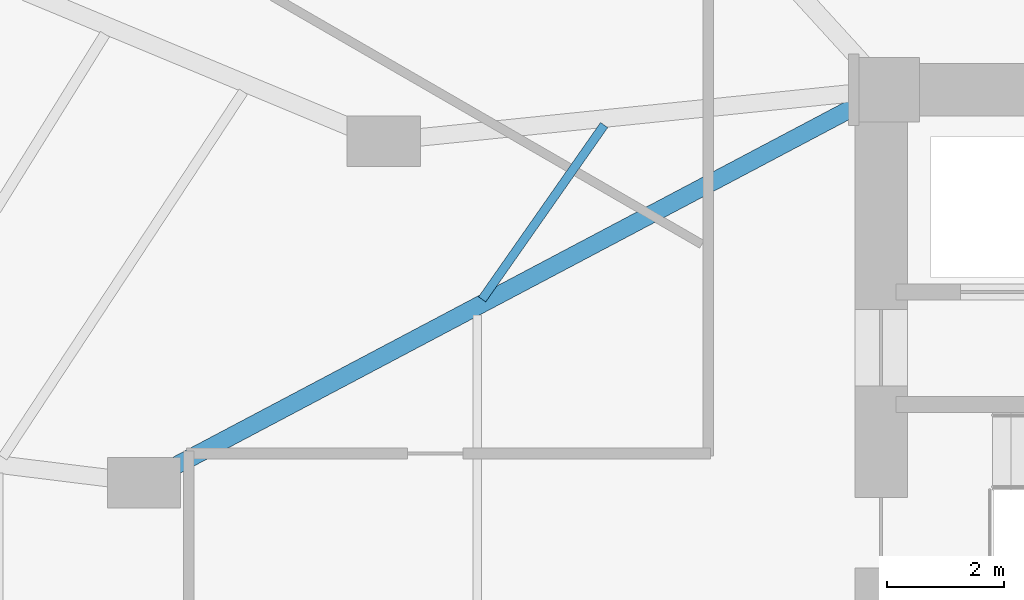
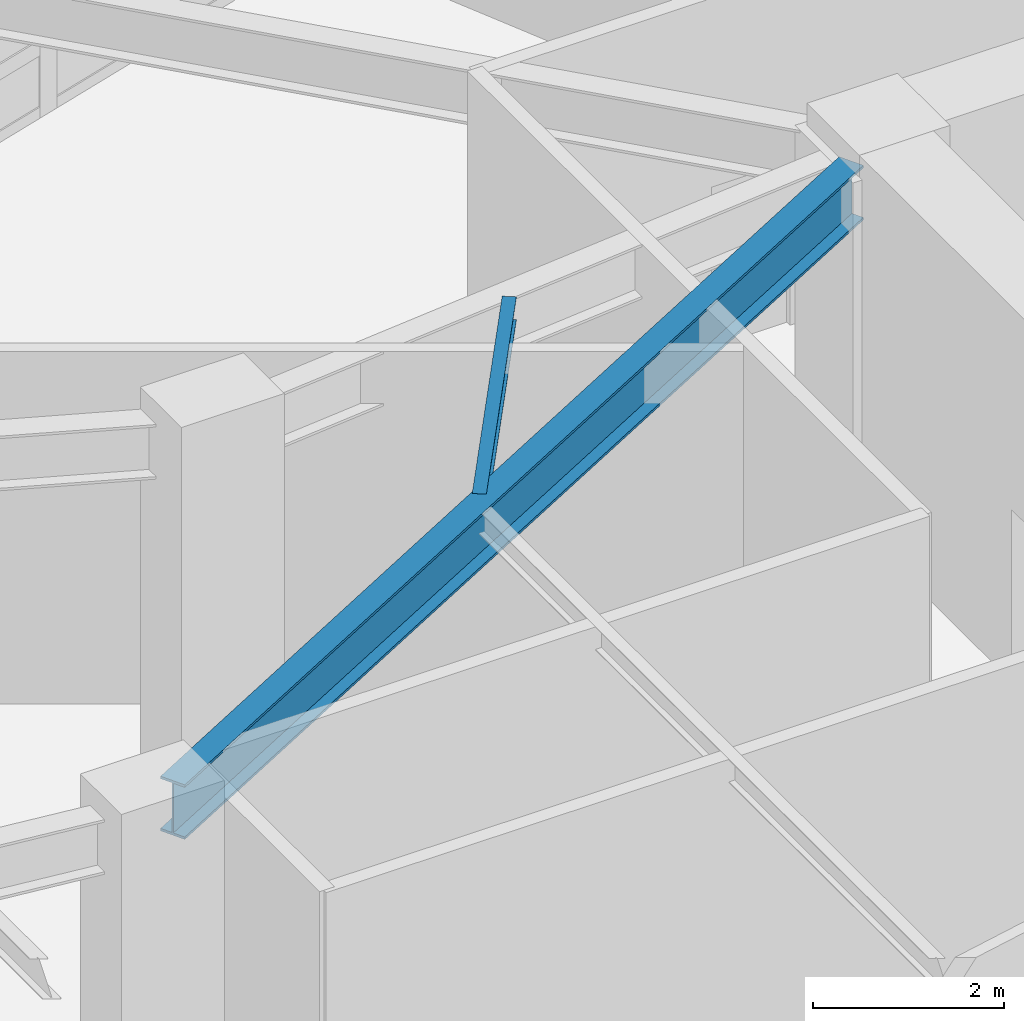
# One storey, part 9 of 24: 2 beams.
"""IFC4 building model written with IfcOpenShell, lengths in metres."""

from ifc_helpers import new_model, si_unit, direction, frame, origin, origin_2d, place, context, subcontext, project, spatial, i_section, extrude, material, material_profile, profile_set, type_object, element, save


model = new_model("IFC4")

# Units and contexts
model_context = context("Model", 3, precision=1e-05, world=origin(), true_north=direction((0.0, 1.0)))
body_context = subcontext(model_context, "Body", "Model", "MODEL_VIEW")
ifc_project = project(units=[si_unit("LENGTHUNIT", "METRE"), si_unit("AREAUNIT", "SQUARE_METRE"), si_unit("VOLUMEUNIT", "CUBIC_METRE"), si_unit("PLANEANGLEUNIT", "RADIAN"), si_unit("MASSUNIT", "GRAM", prefix="KILO")], contexts=[model_context])

# Site, building, storey
site_placement = place(None, origin())
site = spatial("IfcSite", under=ifc_project, at=site_placement, CompositionType="ELEMENT")
building_placement = place(site_placement, origin())
building = spatial("IfcBuilding", under=site, at=building_placement, Name="Lazwardi Medical Tower", CompositionType="ELEMENT")
storey_placement = place(building_placement, frame((0.0, 0.0, 6.0)))
storey = spatial("IfcBuildingStorey", under=building, at=storey_placement, Name="L01", CompositionType="ELEMENT", Elevation=6.0)

# Beams
ifc_material = material(Name="Steel S355", Category="steel")
ifc_material_profile_1 = material_profile(ifc_material, i_section(OverallWidth=0.300048828125, OverallDepth=0.699951171875, WebThickness=0.01708984375, FlangeThickness=0.031982421875, at=origin_2d()), Name="HEB 700")
ifc_profile_set_1 = profile_set([ifc_material_profile_1], Name="Steel S355")
beam_type_1 = type_object("IfcBeamType", Name="BM-RG-P1", PredefinedType="BEAM", material=ifc_profile_set_1)
beam_1_placement = place(storey_placement, frame((14.090576171875, 29.093017578125, 4.169921875), z_axis=(0.884073844977, 0.467347233466, 0.0), x_axis=(-0.467347233466, 0.884073844977, 0.0)))
element("IfcBeam", 1, at=beam_1_placement, inside=storey, type_object=beam_type_1, Name="Radial girder RG-01 R12B L01", PredefinedType="BEAM", context=body_context, shape_type="SweptSolid", body=[
    extrude(i_section(OverallWidth=0.300048828125, OverallDepth=0.699951171875, WebThickness=0.01708984375, FlangeThickness=0.031982421875, at=origin_2d()), origin(), (0.0, 0.0, 1.0), 13.388427734375),
])
ifc_material_profile_2 = material_profile(ifc_material, i_section(OverallWidth=0.14990234375, OverallDepth=0.300048828125, WebThickness=0.007080078125, FlangeThickness=0.0107421875, at=origin_2d()), Name="IPE 300")
ifc_profile_set_2 = profile_set([ifc_material_profile_2], Name="Steel S355")
beam_type_2 = type_object("IfcBeamType", Name="BM-SJ-03", PredefinedType="JOIST", material=ifc_profile_set_2)
beam_2_placement = place(storey_placement, frame((21.578857421875, 34.997314453125, 4.3701171875), z_axis=(-0.573439745267, -0.819247739422, 0.0), x_axis=(0.819247739422, -0.573439745267, 0.0)))
element("IfcBeam", 2, at=beam_2_placement, inside=storey, type_object=beam_type_2, Name="Secondary joist SJ-03 RI1 B11 L01", PredefinedType="JOIST", context=body_context, shape_type="SweptSolid", body=[
    extrude(i_section(OverallWidth=0.14990234375, OverallDepth=0.300048828125, WebThickness=0.007080078125, FlangeThickness=0.0107421875, at=origin_2d()), origin(), (0.0, 0.0, 1.0), 3.625244140625),
])

save(model, "model.ifc")
